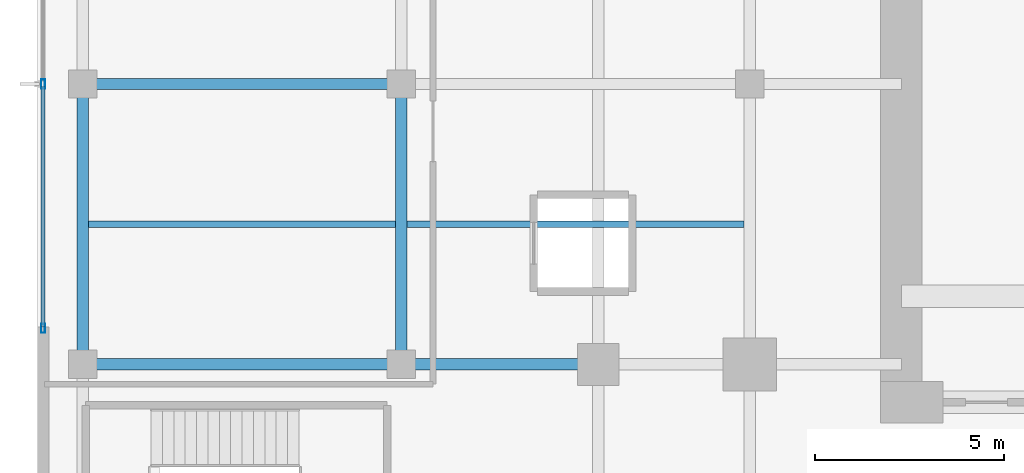
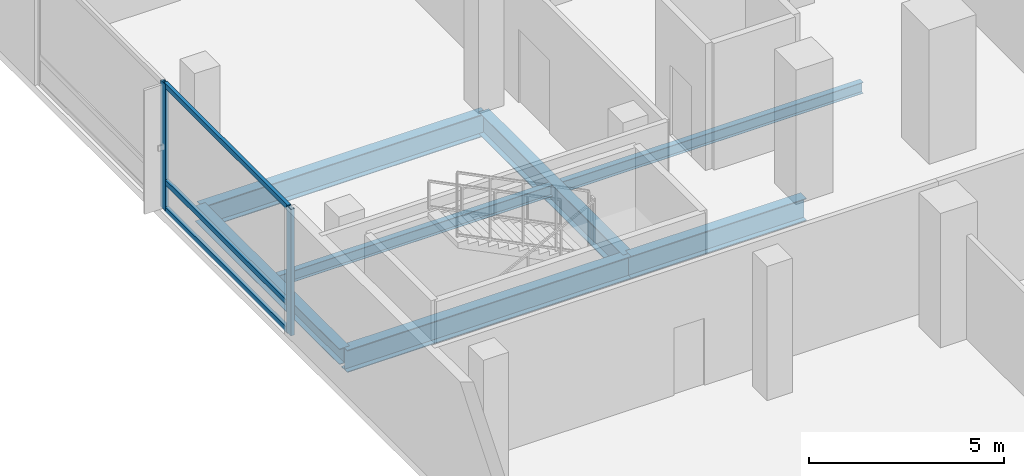
# One storey, part 2 of 19: 7 beams, 5 members, 1 element without a shape of its own.
"""IFC4 building model written with IfcOpenShell, lengths in metres."""

from ifc_helpers import new_model, si_unit, direction, frame, origin, origin_2d, place, context, subcontext, project, spatial, hollow_rectangle, i_section, extrude, material, layer, layer_set, material_profile, profile_set, type_object, element, aggregate, save


model = new_model("IFC4")

# Units and contexts
model_context = context("Model", 3, precision=1e-05, world=origin(), true_north=direction((0.0, 1.0)))
body_context = subcontext(model_context, "Body", "Model", "MODEL_VIEW")
ifc_project = project(units=[si_unit("LENGTHUNIT", "METRE"), si_unit("AREAUNIT", "SQUARE_METRE"), si_unit("VOLUMEUNIT", "CUBIC_METRE"), si_unit("PLANEANGLEUNIT", "RADIAN"), si_unit("MASSUNIT", "GRAM", prefix="KILO")], contexts=[model_context])

# Site, building, storey
site_placement = place(None, origin())
site = spatial("IfcSite", under=ifc_project, at=site_placement, CompositionType="ELEMENT")
building_placement = place(site_placement, origin())
building = spatial("IfcBuilding", under=site, at=building_placement, Name="Khorvyn Point Tower", CompositionType="ELEMENT")
storey_placement = place(building_placement, frame((0.0, 0.0, 4.800048828125)))
storey = spatial("IfcBuildingStorey", under=building, at=storey_placement, Name="L02", CompositionType="ELEMENT", Elevation=4.800048828125)

# Curtain wall, members
ifc_material_1 = material(Name="Anodised aluminium 6063-T6 and laminated Low-E glass", Category="aluminium")
ifc_layer = layer(ifc_material_1, 0.18994140625)
ifc_layer_set = layer_set([ifc_layer], Name="Stick-Built Low-E Podium Curtain Wall CW-SYS-01")
curtain_wall_type = type_object("IfcCurtainWallType", Name="Stick-Built Low-E Podium Curtain Wall CW-SYS-01", PredefinedType="NOTDEFINED", material=ifc_layer_set)
curtain_wall_placement = place(storey_placement, origin())
curtain_wall = element("IfcCurtainWall", 1, at=curtain_wall_placement, inside=storey, type_object=curtain_wall_type, Name="Curtain Wall", PredefinedType="NOTDEFINED")
ifc_material_2 = material(Name="Anodised aluminium 6063-T6", Category="aluminium")
ifc_material_profile_1 = material_profile(ifc_material_2, hollow_rectangle(XDim=0.10009765625, YDim=0.239990234375, WallThickness=0.0048828125, at=origin_2d()))
ifc_profile_set_1 = profile_set([ifc_material_profile_1], Name="Anodised aluminium 6063-T6 ALU-MUL-100x240")
member_type_1 = type_object("IfcMemberType", Name="Anodised Aluminium 6063-T6 Mullion ALU-MUL-100x240", PredefinedType="MULLION", material=ifc_profile_set_1)
member_1_placement = place(storey_placement, frame((-33.449951171875, -6.449951171875, 0.0), z_axis=(0.0, 0.0, 1.0), x_axis=(-1.0, 0.0, 0.0)))
member_1 = element("IfcMember", 2, at=member_1_placement, type_object=member_type_1, Name="Transom", PredefinedType="MULLION", context=body_context, shape_type="SweptSolid", body=[
    extrude(hollow_rectangle(XDim=0.10009765625, YDim=0.239990234375, WallThickness=0.0048828125, at=origin_2d()), origin(), (0.0, 0.0, 1.0), 3.9599609375),
])
member_2_placement = place(storey_placement, frame((-33.449951171875, 0.0, 0.0), z_axis=(0.0, 0.0, 1.0), x_axis=(-1.0, 0.0, 0.0)))
member_2 = element("IfcMember", 3, at=member_2_placement, type_object=member_type_1, Name="Transom", PredefinedType="MULLION", context=body_context, shape_type="SweptSolid", body=[
    extrude(hollow_rectangle(XDim=0.10009765625, YDim=0.239990234375, WallThickness=0.0048828125, at=origin_2d()), origin(), (0.0, 0.0, 1.0), 3.9599609375),
])
ifc_material_profile_2 = material_profile(ifc_material_2, hollow_rectangle(XDim=0.10009765625, YDim=0.159912109375, WallThickness=0.00439453125, at=origin_2d()))
ifc_profile_set_2 = profile_set([ifc_material_profile_2], Name="Anodised aluminium 6063-T6 ALU-TRN-100x160")
member_type_2 = type_object("IfcMemberType", Name="Anodised Aluminium 6063-T6 Transom ALU-TRN-100x160", PredefinedType="USERDEFINED", material=ifc_profile_set_2)
member_3_placement = place(storey_placement, frame((-33.449951171875, -6.39990234375, 0.050048828125), z_axis=(0.0, 1.0, 0.0), x_axis=(-1.0, 0.0, 0.0)))
member_3 = element("IfcMember", 4, at=member_3_placement, type_object=member_type_2, Name="Transom", ObjectType="TRANSOM", PredefinedType="USERDEFINED", context=body_context, shape_type="SweptSolid", body=[
    extrude(hollow_rectangle(XDim=0.10009765625, YDim=0.159912109375, WallThickness=0.00439453125, at=origin_2d()), origin(), (0.0, 0.0, 1.0), 6.349853515625),
])
member_4_placement = place(storey_placement, frame((-33.449951171875, -6.39990234375, 0.89990234375), z_axis=(0.0, 1.0, 0.0), x_axis=(-1.0, 0.0, 0.0)))
member_4 = element("IfcMember", 5, at=member_4_placement, type_object=member_type_2, Name="Transom", ObjectType="TRANSOM", PredefinedType="USERDEFINED", context=body_context, shape_type="SweptSolid", body=[
    extrude(hollow_rectangle(XDim=0.10009765625, YDim=0.159912109375, WallThickness=0.00439453125, at=origin_2d()), origin(), (0.0, 0.0, 1.0), 6.349853515625),
])
member_5_placement = place(storey_placement, frame((-33.449951171875, -6.39990234375, 3.909912109375), z_axis=(0.0, 1.0, 0.0), x_axis=(-1.0, 0.0, 0.0)))
member_5 = element("IfcMember", 6, at=member_5_placement, type_object=member_type_2, Name="Transom", ObjectType="TRANSOM", PredefinedType="USERDEFINED", context=body_context, shape_type="SweptSolid", body=[
    extrude(hollow_rectangle(XDim=0.10009765625, YDim=0.159912109375, WallThickness=0.00439453125, at=origin_2d()), origin(), (0.0, 0.0, 1.0), 6.349853515625),
])
aggregate(curtain_wall, [member_1, member_2, member_3, member_4, member_5])

# Beams
ifc_material_3 = material(Name="Steel S355", Category="steel")
ifc_material_profile_3 = material_profile(ifc_material_3, i_section(OverallWidth=0.300048828125, OverallDepth=0.699951171875, WebThickness=0.012939453125, FlangeThickness=0.02392578125, at=origin_2d()))
ifc_profile_set_3 = profile_set([ifc_material_profile_3], Name="Steel S355 H700x300x13x24")
beam_type_1 = type_object("IfcBeamType", Name="Steel S355 Beam H700x300x13x24", PredefinedType="BEAM", material=ifc_profile_set_3)
beam_1_placement = place(storey_placement, frame((-32.39990234375, -7.39990234375, -0.590087890625), z_axis=(1.0, 0.0, 0.0), x_axis=(0.0, 1.0, 0.0)))
element("IfcBeam", 7, at=beam_1_placement, inside=storey, type_object=beam_type_1, Name="Beam", PredefinedType="BEAM", context=body_context, shape_type="SweptSolid", body=[
    extrude(i_section(OverallWidth=0.300048828125, OverallDepth=0.699951171875, WebThickness=0.012939453125, FlangeThickness=0.02392578125, at=origin_2d()), origin(), (0.0, 0.0, 1.0), 8.39990234375),
])
beam_2_placement = place(storey_placement, frame((-24.0, -7.39990234375, -0.590087890625), z_axis=(1.0, 0.0, 0.0), x_axis=(0.0, 1.0, 0.0)))
element("IfcBeam", 8, at=beam_2_placement, inside=storey, type_object=beam_type_1, Name="Beam", PredefinedType="BEAM", context=body_context, shape_type="SweptSolid", body=[
    extrude(i_section(OverallWidth=0.300048828125, OverallDepth=0.699951171875, WebThickness=0.012939453125, FlangeThickness=0.02392578125, at=origin_2d()), origin(), (0.0, 0.0, 1.0), 5.199951171875),
])
beam_3_placement = place(storey_placement, frame((-32.39990234375, 0.0, -0.590087890625), z_axis=(1.0, 0.0, 0.0), x_axis=(0.0, 1.0, 0.0)))
element("IfcBeam", 9, at=beam_3_placement, inside=storey, type_object=beam_type_1, Name="Beam", PredefinedType="BEAM", context=body_context, shape_type="SweptSolid", body=[
    extrude(i_section(OverallWidth=0.300048828125, OverallDepth=0.699951171875, WebThickness=0.012939453125, FlangeThickness=0.02392578125, at=origin_2d()), origin(), (0.0, 0.0, 1.0), 8.39990234375),
])
beam_4_placement = place(storey_placement, frame((-24.0, -7.39990234375, -0.590087890625), z_axis=(0.0, 1.0, 0.0), x_axis=(-1.0, 0.0, 0.0)))
element("IfcBeam", 10, at=beam_4_placement, inside=storey, type_object=beam_type_1, Name="Beam", PredefinedType="BEAM", context=body_context, shape_type="SweptSolid", body=[
    extrude(i_section(OverallWidth=0.300048828125, OverallDepth=0.699951171875, WebThickness=0.012939453125, FlangeThickness=0.02392578125, at=origin_2d()), origin(), (0.0, 0.0, 1.0), 7.39990234375),
])
ifc_material_profile_4 = material_profile(ifc_material_3, i_section(OverallWidth=0.175048828125, OverallDepth=0.35009765625, WebThickness=0.007080078125, FlangeThickness=0.010986328125, at=origin_2d()))
ifc_profile_set_4 = profile_set([ifc_material_profile_4], Name="Steel S355 H350x175x7x11")
beam_type_2 = type_object("IfcBeamType", Name="Steel S355 Joist H350x175x7x11", PredefinedType="JOIST", material=ifc_profile_set_4)
beam_5_placement = place(storey_placement, frame((-32.25, -3.699951171875, -0.4150390625), z_axis=(1.0, 0.0, 0.0), x_axis=(0.0, 1.0, 0.0)))
element("IfcBeam", 11, at=beam_5_placement, inside=storey, type_object=beam_type_2, Name="Beam", PredefinedType="JOIST", context=body_context, shape_type="SweptSolid", body=[
    extrude(i_section(OverallWidth=0.175048828125, OverallDepth=0.35009765625, WebThickness=0.007080078125, FlangeThickness=0.010986328125, at=origin_2d()), origin(), (0.0, 0.0, 1.0), 8.10009765625),
])
beam_6_placement = place(storey_placement, frame((-23.85009765625, -3.699951171875, -0.4150390625), z_axis=(1.0, 0.0, 0.0), x_axis=(0.0, 1.0, 0.0)))
element("IfcBeam", 12, at=beam_6_placement, inside=storey, type_object=beam_type_2, Name="Beam", PredefinedType="JOIST", context=body_context, shape_type="SweptSolid", body=[
    extrude(i_section(OverallWidth=0.175048828125, OverallDepth=0.35009765625, WebThickness=0.007080078125, FlangeThickness=0.010986328125, at=origin_2d()), origin(), (0.0, 0.0, 1.0), 8.900146484375),
])
ifc_material_profile_5 = material_profile(ifc_material_3, i_section(OverallWidth=0.300048828125, OverallDepth=0.488037109375, WebThickness=0.010986328125, FlangeThickness=0.01806640625, at=origin_2d()))
ifc_profile_set_5 = profile_set([ifc_material_profile_5], Name="Steel S355 H488x300x11x18")
beam_type_3 = type_object("IfcBeamType", Name="Steel S355 Spandrel H488x300x11x18", PredefinedType="SPANDREL", material=ifc_profile_set_5)
beam_7_placement = place(storey_placement, frame((-32.39990234375, -7.39990234375, -0.484130859375), z_axis=(0.0, 1.0, 0.0), x_axis=(-1.0, 0.0, 0.0)))
element("IfcBeam", 13, at=beam_7_placement, inside=storey, type_object=beam_type_3, Name="Beam", PredefinedType="SPANDREL", context=body_context, shape_type="SweptSolid", body=[
    extrude(i_section(OverallWidth=0.300048828125, OverallDepth=0.488037109375, WebThickness=0.010986328125, FlangeThickness=0.01806640625, at=origin_2d()), origin(), (0.0, 0.0, 1.0), 7.39990234375),
])

save(model, "model.ifc")
